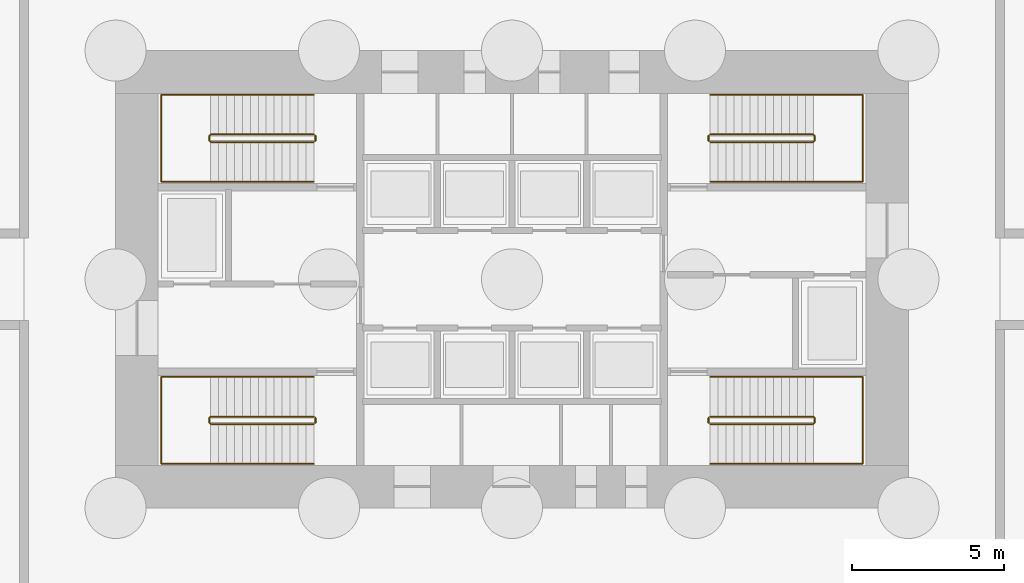
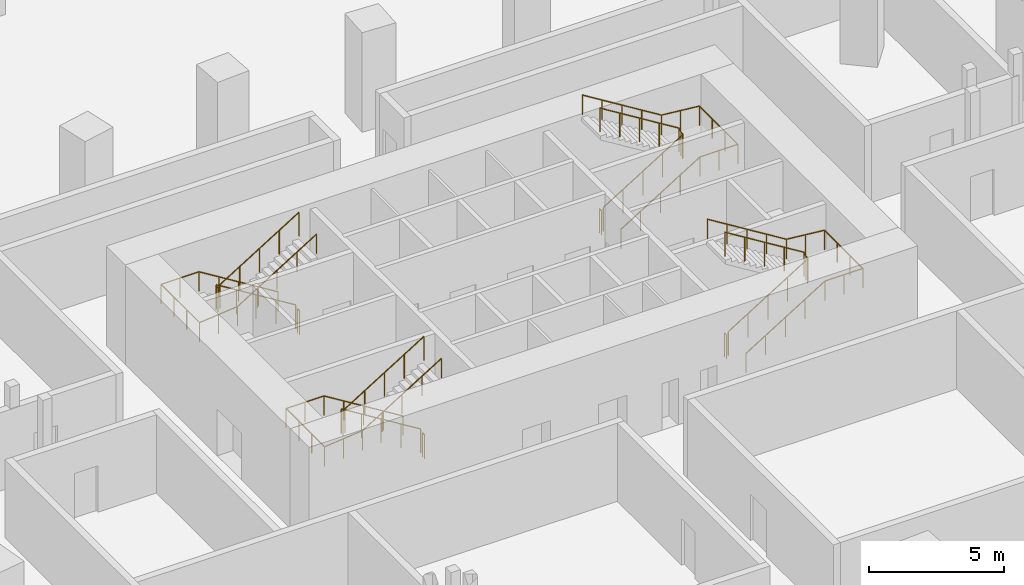
# One storey, part 9 of 10: 12 railings.
"""IFC4 building model written with IfcOpenShell, lengths in metres."""

from ifc_helpers import new_model, si_unit, direction, frame, origin, origin_2d, place, context, subcontext, project, spatial, circle, extrude, material, type_object, element, save


model = new_model("IFC4")

# Units and contexts
model_context = context("Model", 3, precision=1e-05, world=origin(), true_north=direction((0.0, 1.0)))
body_context = subcontext(model_context, "Body", "Model", "MODEL_VIEW")
ifc_project = project(units=[si_unit("LENGTHUNIT", "METRE"), si_unit("AREAUNIT", "SQUARE_METRE"), si_unit("VOLUMEUNIT", "CUBIC_METRE"), si_unit("PLANEANGLEUNIT", "RADIAN"), si_unit("MASSUNIT", "GRAM", prefix="KILO")], contexts=[model_context])

# Site, building, storey
site_placement = place(None, origin())
site = spatial("IfcSite", under=ifc_project, at=site_placement, CompositionType="ELEMENT")
building_placement = place(site_placement, origin())
building = spatial("IfcBuilding", under=site, at=building_placement, Name="Rubra Terraces Tower", CompositionType="ELEMENT")
storey_placement = place(building_placement, frame((0.0, 0.0, -15.0)))
storey = spatial("IfcBuildingStorey", under=building, at=storey_placement, Name="B3", CompositionType="ELEMENT", Elevation=-15.0)

# Railings
ifc_material = material(Name="Stainless steel", Category="steel")
railing_type_1 = type_object("IfcRailingType", Name="Core stair guard 1100", PredefinedType="GUARDRAIL", material=ifc_material)
railing_1_placement = place(storey_placement, frame((-6.5, 0.0, 0.16064453125)))
element("IfcRailing", 1, at=railing_1_placement, inside=storey, type_object=railing_type_1, Name="B3 stair S1 guard 1", PredefinedType="GUARDRAIL", context=body_context, shape_type="SweptSolid", body=[
    extrude(circle(Radius=0.02392578125, at=origin_2d()), frame((0.0, 0.0, 1.076171875), z_axis=(-0.8505975674, 0.0, 0.525817248036), x_axis=(0.0, -1.0, 0.0)), (0.0, 0.0, 1.0), 3.9736328125),
    extrude(circle(Radius=0.02392578125, at=origin_2d()), frame((-3.3798828125, 0.0, 3.16552734375), z_axis=(-0.707106781187, -0.707106781187, 0.0), x_axis=(0.707106781187, -0.707106781187, 0.0)), (0.0, 0.0, 1.0), 0.07080078125),
    extrude(circle(Radius=0.02392578125, at=origin_2d()), frame((-3.429931640625, -0.050048828125, 3.16552734375), z_axis=(0.0, -1.0, 0.0), x_axis=(1.0, 0.0, 0.0)), (0.0, 0.0, 1.0), 0.14990234375),
    extrude(circle(Radius=0.02392578125, at=origin_2d()), frame((-3.429931640625, -0.199951171875, 3.16552734375), z_axis=(0.285103605394, -0.285103605394, 0.91511303585), x_axis=(0.707106781187, 0.707106781187, 0.0)), (0.0, 0.0, 1.0), 0.175537109375),
    extrude(circle(Radius=0.02392578125, at=origin_2d()), frame((-3.3798828125, -0.25, 3.326171875), z_axis=(0.8505975674, 0.0, 0.525817248036), x_axis=(0.0, 1.0, 0.0)), (0.0, 0.0, 1.0), 3.9736328125),
    extrude(circle(Radius=0.02099609375, at=origin_2d()), origin(), (0.0, 0.0, 1.0), 1.052001953125),
    extrude(circle(Radius=0.02099609375, at=origin_2d()), frame((-0.844970703125, 0.0, 0.5224609375)), (0.0, 0.0, 1.0), 1.052001953125),
    extrude(circle(Radius=0.02099609375, at=origin_2d()), frame((-1.68994140625, 0.0, 1.044677734375)), (0.0, 0.0, 1.0), 1.052001953125),
    extrude(circle(Radius=0.02099609375, at=origin_2d()), frame((-2.534912109375, 0.0, 1.56689453125)), (0.0, 0.0, 1.0), 1.052001953125),
    extrude(circle(Radius=0.02099609375, at=origin_2d()), frame((-3.3798828125, 0.0, 2.08935546875)), (0.0, 0.0, 1.0), 1.052001953125),
    extrude(circle(Radius=0.02099609375, at=origin_2d()), frame((-3.429931640625, -0.050048828125, 2.08935546875)), (0.0, 0.0, 1.0), 1.052001953125),
    extrude(circle(Radius=0.02099609375, at=origin_2d()), frame((-3.429931640625, -0.199951171875, 2.08935546875)), (0.0, 0.0, 1.0), 1.052001953125),
    extrude(circle(Radius=0.02099609375, at=origin_2d()), frame((-3.3798828125, -0.25, 2.25)), (0.0, 0.0, 1.0), 1.052001953125),
    extrude(circle(Radius=0.02099609375, at=origin_2d()), frame((-2.534912109375, -0.25, 2.7724609375)), (0.0, 0.0, 1.0), 1.052001953125),
    extrude(circle(Radius=0.02099609375, at=origin_2d()), frame((-1.68994140625, -0.25, 3.294677734375)), (0.0, 0.0, 1.0), 1.052001953125),
    extrude(circle(Radius=0.02099609375, at=origin_2d()), frame((-0.844970703125, -0.25, 3.81689453125)), (0.0, 0.0, 1.0), 1.052001953125),
    extrude(circle(Radius=0.02099609375, at=origin_2d()), frame((0.0, -0.25, 4.33935546875)), (0.0, 0.0, 1.0), 1.052001953125),
])
railing_2_placement = place(storey_placement, frame((-6.449951171875, -0.050048828125, 0.0)))
element("IfcRailing", 2, at=railing_2_placement, inside=storey, type_object=railing_type_1, Name="B3 stair S1 guard 2", PredefinedType="GUARDRAIL", context=body_context, shape_type="SweptSolid", body=[
    extrude(circle(Radius=0.02392578125, at=origin_2d()), frame((0.0, 0.0, 1.076171875), z_axis=(0.0, -1.0, 0.0), x_axis=(1.0, 0.0, 0.0)), (0.0, 0.0, 1.0), 0.14990234375),
    extrude(circle(Radius=0.02099609375, at=origin_2d()), origin(), (0.0, 0.0, 1.0), 1.052001953125),
    extrude(circle(Radius=0.02099609375, at=origin_2d()), frame((0.0, -0.14990234375, 0.0)), (0.0, 0.0, 1.0), 1.052001953125),
])
railing_3_placement = place(storey_placement, frame((-6.5, 9.25, 0.16064453125)))
element("IfcRailing", 3, at=railing_3_placement, inside=storey, type_object=railing_type_1, Name="B3 stair S2 guard 1", PredefinedType="GUARDRAIL", context=body_context, shape_type="SweptSolid", body=[
    extrude(circle(Radius=0.02392578125, at=origin_2d()), frame((0.0, 0.0, 1.076171875), z_axis=(-0.8505975674, 0.0, 0.525817248036), x_axis=(0.0, -1.0, 0.0)), (0.0, 0.0, 1.0), 3.9736328125),
    extrude(circle(Radius=0.02392578125, at=origin_2d()), frame((-3.3798828125, 0.0, 3.16552734375), z_axis=(-0.707106781187, -0.707106781187, 0.0), x_axis=(0.707106781187, -0.707106781187, 0.0)), (0.0, 0.0, 1.0), 0.07080078125),
    extrude(circle(Radius=0.02392578125, at=origin_2d()), frame((-3.429931640625, -0.050048828125, 3.16552734375), z_axis=(0.0, -1.0, 0.0), x_axis=(1.0, 0.0, 0.0)), (0.0, 0.0, 1.0), 0.14990234375),
    extrude(circle(Radius=0.02392578125, at=origin_2d()), frame((-3.429931640625, -0.199951171875, 3.16552734375), z_axis=(0.285103605394, -0.285103605394, 0.91511303585), x_axis=(0.707106781187, 0.707106781187, 0.0)), (0.0, 0.0, 1.0), 0.175537109375),
    extrude(circle(Radius=0.02392578125, at=origin_2d()), frame((-3.3798828125, -0.25, 3.326171875), z_axis=(0.8505975674, 0.0, 0.525817248036), x_axis=(0.0, 1.0, 0.0)), (0.0, 0.0, 1.0), 3.9736328125),
    extrude(circle(Radius=0.02099609375, at=origin_2d()), origin(), (0.0, 0.0, 1.0), 1.052001953125),
    extrude(circle(Radius=0.02099609375, at=origin_2d()), frame((-0.844970703125, 0.0, 0.5224609375)), (0.0, 0.0, 1.0), 1.052001953125),
    extrude(circle(Radius=0.02099609375, at=origin_2d()), frame((-1.68994140625, 0.0, 1.044677734375)), (0.0, 0.0, 1.0), 1.052001953125),
    extrude(circle(Radius=0.02099609375, at=origin_2d()), frame((-2.534912109375, 0.0, 1.56689453125)), (0.0, 0.0, 1.0), 1.052001953125),
    extrude(circle(Radius=0.02099609375, at=origin_2d()), frame((-3.3798828125, 0.0, 2.08935546875)), (0.0, 0.0, 1.0), 1.052001953125),
    extrude(circle(Radius=0.02099609375, at=origin_2d()), frame((-3.429931640625, -0.050048828125, 2.08935546875)), (0.0, 0.0, 1.0), 1.052001953125),
    extrude(circle(Radius=0.02099609375, at=origin_2d()), frame((-3.429931640625, -0.199951171875, 2.08935546875)), (0.0, 0.0, 1.0), 1.052001953125),
    extrude(circle(Radius=0.02099609375, at=origin_2d()), frame((-3.3798828125, -0.25, 2.25)), (0.0, 0.0, 1.0), 1.052001953125),
    extrude(circle(Radius=0.02099609375, at=origin_2d()), frame((-2.534912109375, -0.25, 2.7724609375)), (0.0, 0.0, 1.0), 1.052001953125),
    extrude(circle(Radius=0.02099609375, at=origin_2d()), frame((-1.68994140625, -0.25, 3.294677734375)), (0.0, 0.0, 1.0), 1.052001953125),
    extrude(circle(Radius=0.02099609375, at=origin_2d()), frame((-0.844970703125, -0.25, 3.81689453125)), (0.0, 0.0, 1.0), 1.052001953125),
    extrude(circle(Radius=0.02099609375, at=origin_2d()), frame((0.0, -0.25, 4.33935546875)), (0.0, 0.0, 1.0), 1.052001953125),
])
railing_4_placement = place(storey_placement, frame((-6.449951171875, 9.199951171875, 0.0)))
element("IfcRailing", 4, at=railing_4_placement, inside=storey, type_object=railing_type_1, Name="B3 stair S2 guard 2", PredefinedType="GUARDRAIL", context=body_context, shape_type="SweptSolid", body=[
    extrude(circle(Radius=0.02392578125, at=origin_2d()), frame((0.0, 0.0, 1.076171875), z_axis=(0.0, -1.0, 0.0), x_axis=(1.0, 0.0, 0.0)), (0.0, 0.0, 1.0), 0.14990234375),
    extrude(circle(Radius=0.02099609375, at=origin_2d()), origin(), (0.0, 0.0, 1.0), 1.052001953125),
    extrude(circle(Radius=0.02099609375, at=origin_2d()), frame((0.0, -0.14990234375, 0.0)), (0.0, 0.0, 1.0), 1.052001953125),
])
railing_5_placement = place(storey_placement, frame((6.5, 9.0, 0.16064453125)))
element("IfcRailing", 5, at=railing_5_placement, inside=storey, type_object=railing_type_1, Name="B3 stair S3 guard 1", PredefinedType="GUARDRAIL", context=body_context, shape_type="SweptSolid", body=[
    extrude(circle(Radius=0.02392578125, at=origin_2d()), frame((0.0, 0.0, 1.076171875), z_axis=(0.8505975674, 0.0, 0.525817248036), x_axis=(0.0, 1.0, 0.0)), (0.0, 0.0, 1.0), 3.9736328125),
    extrude(circle(Radius=0.02392578125, at=origin_2d()), frame((3.3798828125, 0.0, 3.16552734375), z_axis=(0.707106781187, 0.707106781187, 0.0), x_axis=(-0.707106781187, 0.707106781187, 0.0)), (0.0, 0.0, 1.0), 0.07080078125),
    extrude(circle(Radius=0.02392578125, at=origin_2d()), frame((3.429931640625, 0.050048828125, 3.16552734375), z_axis=(0.0, 1.0, 0.0), x_axis=(-1.0, 0.0, 0.0)), (0.0, 0.0, 1.0), 0.14990234375),
    extrude(circle(Radius=0.02392578125, at=origin_2d()), frame((3.429931640625, 0.199951171875, 3.16552734375), z_axis=(-0.285103605394, 0.285103605394, 0.91511303585), x_axis=(-0.707106781187, -0.707106781187, 0.0)), (0.0, 0.0, 1.0), 0.175537109375),
    extrude(circle(Radius=0.02392578125, at=origin_2d()), frame((3.3798828125, 0.25, 3.326171875), z_axis=(-0.8505975674, 0.0, 0.525817248036), x_axis=(0.0, -1.0, 0.0)), (0.0, 0.0, 1.0), 3.9736328125),
    extrude(circle(Radius=0.02099609375, at=origin_2d()), origin(), (0.0, 0.0, 1.0), 1.052001953125),
    extrude(circle(Radius=0.02099609375, at=origin_2d()), frame((0.844970703125, 0.0, 0.5224609375)), (0.0, 0.0, 1.0), 1.052001953125),
    extrude(circle(Radius=0.02099609375, at=origin_2d()), frame((1.68994140625, 0.0, 1.044677734375)), (0.0, 0.0, 1.0), 1.052001953125),
    extrude(circle(Radius=0.02099609375, at=origin_2d()), frame((2.534912109375, 0.0, 1.56689453125)), (0.0, 0.0, 1.0), 1.052001953125),
    extrude(circle(Radius=0.02099609375, at=origin_2d()), frame((3.3798828125, 0.0, 2.08935546875)), (0.0, 0.0, 1.0), 1.052001953125),
    extrude(circle(Radius=0.02099609375, at=origin_2d()), frame((3.429931640625, 0.050048828125, 2.08935546875)), (0.0, 0.0, 1.0), 1.052001953125),
    extrude(circle(Radius=0.02099609375, at=origin_2d()), frame((3.429931640625, 0.199951171875, 2.08935546875)), (0.0, 0.0, 1.0), 1.052001953125),
    extrude(circle(Radius=0.02099609375, at=origin_2d()), frame((3.3798828125, 0.25, 2.25)), (0.0, 0.0, 1.0), 1.052001953125),
    extrude(circle(Radius=0.02099609375, at=origin_2d()), frame((2.534912109375, 0.25, 2.7724609375)), (0.0, 0.0, 1.0), 1.052001953125),
    extrude(circle(Radius=0.02099609375, at=origin_2d()), frame((1.68994140625, 0.25, 3.294677734375)), (0.0, 0.0, 1.0), 1.052001953125),
    extrude(circle(Radius=0.02099609375, at=origin_2d()), frame((0.844970703125, 0.25, 3.81689453125)), (0.0, 0.0, 1.0), 1.052001953125),
    extrude(circle(Radius=0.02099609375, at=origin_2d()), frame((0.0, 0.25, 4.33935546875)), (0.0, 0.0, 1.0), 1.052001953125),
])
railing_6_placement = place(storey_placement, frame((6.449951171875, 9.050048828125, 0.0)))
element("IfcRailing", 6, at=railing_6_placement, inside=storey, type_object=railing_type_1, Name="B3 stair S3 guard 2", PredefinedType="GUARDRAIL", context=body_context, shape_type="SweptSolid", body=[
    extrude(circle(Radius=0.02392578125, at=origin_2d()), frame((0.0, 0.0, 1.076171875), z_axis=(0.0, 1.0, 0.0), x_axis=(-1.0, 0.0, 0.0)), (0.0, 0.0, 1.0), 0.14990234375),
    extrude(circle(Radius=0.02099609375, at=origin_2d()), origin(), (0.0, 0.0, 1.0), 1.052001953125),
    extrude(circle(Radius=0.02099609375, at=origin_2d()), frame((0.0, 0.14990234375, 0.0)), (0.0, 0.0, 1.0), 1.052001953125),
])
railing_7_placement = place(storey_placement, frame((6.5, -0.25, 0.16064453125)))
element("IfcRailing", 7, at=railing_7_placement, inside=storey, type_object=railing_type_1, Name="B3 stair S4 guard 1", PredefinedType="GUARDRAIL", context=body_context, shape_type="SweptSolid", body=[
    extrude(circle(Radius=0.02392578125, at=origin_2d()), frame((0.0, 0.0, 1.076171875), z_axis=(0.8505975674, 0.0, 0.525817248036), x_axis=(0.0, 1.0, 0.0)), (0.0, 0.0, 1.0), 3.9736328125),
    extrude(circle(Radius=0.02392578125, at=origin_2d()), frame((3.3798828125, 0.0, 3.16552734375), z_axis=(0.707106781187, 0.707106781187, 0.0), x_axis=(-0.707106781187, 0.707106781187, 0.0)), (0.0, 0.0, 1.0), 0.07080078125),
    extrude(circle(Radius=0.02392578125, at=origin_2d()), frame((3.429931640625, 0.050048828125, 3.16552734375), z_axis=(0.0, 1.0, 0.0), x_axis=(-1.0, 0.0, 0.0)), (0.0, 0.0, 1.0), 0.14990234375),
    extrude(circle(Radius=0.02392578125, at=origin_2d()), frame((3.429931640625, 0.199951171875, 3.16552734375), z_axis=(-0.285103605394, 0.285103605394, 0.91511303585), x_axis=(-0.707106781187, -0.707106781187, 0.0)), (0.0, 0.0, 1.0), 0.175537109375),
    extrude(circle(Radius=0.02392578125, at=origin_2d()), frame((3.3798828125, 0.25, 3.326171875), z_axis=(-0.8505975674, 0.0, 0.525817248036), x_axis=(0.0, -1.0, 0.0)), (0.0, 0.0, 1.0), 3.9736328125),
    extrude(circle(Radius=0.02099609375, at=origin_2d()), origin(), (0.0, 0.0, 1.0), 1.052001953125),
    extrude(circle(Radius=0.02099609375, at=origin_2d()), frame((0.844970703125, 0.0, 0.5224609375)), (0.0, 0.0, 1.0), 1.052001953125),
    extrude(circle(Radius=0.02099609375, at=origin_2d()), frame((1.68994140625, 0.0, 1.044677734375)), (0.0, 0.0, 1.0), 1.052001953125),
    extrude(circle(Radius=0.02099609375, at=origin_2d()), frame((2.534912109375, 0.0, 1.56689453125)), (0.0, 0.0, 1.0), 1.052001953125),
    extrude(circle(Radius=0.02099609375, at=origin_2d()), frame((3.3798828125, 0.0, 2.08935546875)), (0.0, 0.0, 1.0), 1.052001953125),
    extrude(circle(Radius=0.02099609375, at=origin_2d()), frame((3.429931640625, 0.050048828125, 2.08935546875)), (0.0, 0.0, 1.0), 1.052001953125),
    extrude(circle(Radius=0.02099609375, at=origin_2d()), frame((3.429931640625, 0.199951171875, 2.08935546875)), (0.0, 0.0, 1.0), 1.052001953125),
    extrude(circle(Radius=0.02099609375, at=origin_2d()), frame((3.3798828125, 0.25, 2.25)), (0.0, 0.0, 1.0), 1.052001953125),
    extrude(circle(Radius=0.02099609375, at=origin_2d()), frame((2.534912109375, 0.25, 2.7724609375)), (0.0, 0.0, 1.0), 1.052001953125),
    extrude(circle(Radius=0.02099609375, at=origin_2d()), frame((1.68994140625, 0.25, 3.294677734375)), (0.0, 0.0, 1.0), 1.052001953125),
    extrude(circle(Radius=0.02099609375, at=origin_2d()), frame((0.844970703125, 0.25, 3.81689453125)), (0.0, 0.0, 1.0), 1.052001953125),
    extrude(circle(Radius=0.02099609375, at=origin_2d()), frame((0.0, 0.25, 4.33935546875)), (0.0, 0.0, 1.0), 1.052001953125),
])
railing_8_placement = place(storey_placement, frame((6.449951171875, -0.199951171875, 0.0)))
element("IfcRailing", 8, at=railing_8_placement, inside=storey, type_object=railing_type_1, Name="B3 stair S4 guard 2", PredefinedType="GUARDRAIL", context=body_context, shape_type="SweptSolid", body=[
    extrude(circle(Radius=0.02392578125, at=origin_2d()), frame((0.0, 0.0, 1.076171875), z_axis=(0.0, 1.0, 0.0), x_axis=(-1.0, 0.0, 0.0)), (0.0, 0.0, 1.0), 0.14990234375),
    extrude(circle(Radius=0.02099609375, at=origin_2d()), origin(), (0.0, 0.0, 1.0), 1.052001953125),
    extrude(circle(Radius=0.02099609375, at=origin_2d()), frame((0.0, 0.14990234375, 0.0)), (0.0, 0.0, 1.0), 1.052001953125),
])
railing_type_2 = type_object("IfcRailingType", Name="Core stair handrail 900", PredefinedType="HANDRAIL", material=ifc_material)
railing_9_placement = place(storey_placement, frame((-6.5, 1.300048828125, 0.16064453125)))
element("IfcRailing", 9, at=railing_9_placement, inside=storey, type_object=railing_type_2, Name="B3 stair S1 handrail 1", PredefinedType="HANDRAIL", context=body_context, shape_type="SweptSolid", body=[
    extrude(circle(Radius=0.02392578125, at=origin_2d()), frame((0.0, 0.0, 0.8759765625), z_axis=(-0.8505975674, 0.0, 0.525817248036), x_axis=(0.0, -1.0, 0.0)), (0.0, 0.0, 1.0), 3.9736328125),
    extrude(circle(Radius=0.02392578125, at=origin_2d()), frame((-3.3798828125, 0.0, 2.96533203125), z_axis=(-1.0, 0.0, 0.0), x_axis=(0.0, -1.0, 0.0)), (0.0, 0.0, 1.0), 1.6201171875),
    extrude(circle(Radius=0.02392578125, at=origin_2d()), frame((-5.0, 0.0, 2.96533203125), z_axis=(0.0, -1.0, 0.0), x_axis=(1.0, 0.0, 0.0)), (0.0, 0.0, 1.0), 2.85009765625),
    extrude(circle(Radius=0.02392578125, at=origin_2d()), frame((-5.0, -2.85009765625, 2.96533203125), z_axis=(0.995119987753, 0.0, 0.098672235073), x_axis=(0.0, 1.0, 0.0)), (0.0, 0.0, 1.0), 1.628173828125),
    extrude(circle(Radius=0.02392578125, at=origin_2d()), frame((-3.3798828125, -2.85009765625, 3.1259765625), z_axis=(0.8505975674, 0.0, 0.525817248036), x_axis=(0.0, 1.0, 0.0)), (0.0, 0.0, 1.0), 3.9736328125),
    extrude(circle(Radius=0.02099609375, at=origin_2d()), origin(), (0.0, 0.0, 1.0), 0.851806640625),
    extrude(circle(Radius=0.02099609375, at=origin_2d()), frame((-0.844970703125, 0.0, 0.5224609375)), (0.0, 0.0, 1.0), 0.851806640625),
    extrude(circle(Radius=0.02099609375, at=origin_2d()), frame((-1.68994140625, 0.0, 1.044677734375)), (0.0, 0.0, 1.0), 0.851806640625),
    extrude(circle(Radius=0.02099609375, at=origin_2d()), frame((-2.534912109375, 0.0, 1.56689453125)), (0.0, 0.0, 1.0), 0.851806640625),
    extrude(circle(Radius=0.02099609375, at=origin_2d()), frame((-3.3798828125, 0.0, 2.08935546875)), (0.0, 0.0, 1.0), 0.851806640625),
    extrude(circle(Radius=0.02099609375, at=origin_2d()), frame((-4.18994140625, 0.0, 2.08935546875)), (0.0, 0.0, 1.0), 0.851806640625),
    extrude(circle(Radius=0.02099609375, at=origin_2d()), frame((-5.0, 0.0, 2.08935546875)), (0.0, 0.0, 1.0), 0.851806640625),
    extrude(circle(Radius=0.02099609375, at=origin_2d()), frame((-5.0, -0.949951171875, 2.08935546875)), (0.0, 0.0, 1.0), 0.851806640625),
    extrude(circle(Radius=0.02099609375, at=origin_2d()), frame((-5.0, -1.900146484375, 2.08935546875)), (0.0, 0.0, 1.0), 0.851806640625),
    extrude(circle(Radius=0.02099609375, at=origin_2d()), frame((-5.0, -2.85009765625, 2.08935546875)), (0.0, 0.0, 1.0), 0.851806640625),
    extrude(circle(Radius=0.02099609375, at=origin_2d()), frame((-4.18994140625, -2.85009765625, 2.169677734375)), (0.0, 0.0, 1.0), 0.851806640625),
    extrude(circle(Radius=0.02099609375, at=origin_2d()), frame((-3.3798828125, -2.85009765625, 2.25)), (0.0, 0.0, 1.0), 0.851806640625),
    extrude(circle(Radius=0.02099609375, at=origin_2d()), frame((-2.534912109375, -2.85009765625, 2.7724609375)), (0.0, 0.0, 1.0), 0.851806640625),
    extrude(circle(Radius=0.02099609375, at=origin_2d()), frame((-1.68994140625, -2.85009765625, 3.294677734375)), (0.0, 0.0, 1.0), 0.851806640625),
    extrude(circle(Radius=0.02099609375, at=origin_2d()), frame((-0.844970703125, -2.85009765625, 3.81689453125)), (0.0, 0.0, 1.0), 0.851806640625),
    extrude(circle(Radius=0.02099609375, at=origin_2d()), frame((0.0, -2.85009765625, 4.33935546875)), (0.0, 0.0, 1.0), 0.851806640625),
])
railing_10_placement = place(storey_placement, frame((-6.5, 10.550048828125, 0.16064453125)))
element("IfcRailing", 10, at=railing_10_placement, inside=storey, type_object=railing_type_2, Name="B3 stair S2 handrail 1", PredefinedType="HANDRAIL", context=body_context, shape_type="SweptSolid", body=[
    extrude(circle(Radius=0.02392578125, at=origin_2d()), frame((0.0, 0.0, 0.8759765625), z_axis=(-0.8505975674, 0.0, 0.525817248036), x_axis=(0.0, -1.0, 0.0)), (0.0, 0.0, 1.0), 3.9736328125),
    extrude(circle(Radius=0.02392578125, at=origin_2d()), frame((-3.3798828125, 0.0, 2.96533203125), z_axis=(-1.0, 0.0, 0.0), x_axis=(0.0, -1.0, 0.0)), (0.0, 0.0, 1.0), 1.6201171875),
    extrude(circle(Radius=0.02392578125, at=origin_2d()), frame((-5.0, 0.0, 2.96533203125), z_axis=(0.0, -1.0, 0.0), x_axis=(1.0, 0.0, 0.0)), (0.0, 0.0, 1.0), 2.85009765625),
    extrude(circle(Radius=0.02392578125, at=origin_2d()), frame((-5.0, -2.85009765625, 2.96533203125), z_axis=(0.995119987753, 0.0, 0.098672235073), x_axis=(0.0, 1.0, 0.0)), (0.0, 0.0, 1.0), 1.628173828125),
    extrude(circle(Radius=0.02392578125, at=origin_2d()), frame((-3.3798828125, -2.85009765625, 3.1259765625), z_axis=(0.8505975674, 0.0, 0.525817248036), x_axis=(0.0, 1.0, 0.0)), (0.0, 0.0, 1.0), 3.9736328125),
    extrude(circle(Radius=0.02099609375, at=origin_2d()), origin(), (0.0, 0.0, 1.0), 0.851806640625),
    extrude(circle(Radius=0.02099609375, at=origin_2d()), frame((-0.844970703125, 0.0, 0.5224609375)), (0.0, 0.0, 1.0), 0.851806640625),
    extrude(circle(Radius=0.02099609375, at=origin_2d()), frame((-1.68994140625, 0.0, 1.044677734375)), (0.0, 0.0, 1.0), 0.851806640625),
    extrude(circle(Radius=0.02099609375, at=origin_2d()), frame((-2.534912109375, 0.0, 1.56689453125)), (0.0, 0.0, 1.0), 0.851806640625),
    extrude(circle(Radius=0.02099609375, at=origin_2d()), frame((-3.3798828125, 0.0, 2.08935546875)), (0.0, 0.0, 1.0), 0.851806640625),
    extrude(circle(Radius=0.02099609375, at=origin_2d()), frame((-4.18994140625, 0.0, 2.08935546875)), (0.0, 0.0, 1.0), 0.851806640625),
    extrude(circle(Radius=0.02099609375, at=origin_2d()), frame((-5.0, 0.0, 2.08935546875)), (0.0, 0.0, 1.0), 0.851806640625),
    extrude(circle(Radius=0.02099609375, at=origin_2d()), frame((-5.0, -0.949951171875, 2.08935546875)), (0.0, 0.0, 1.0), 0.851806640625),
    extrude(circle(Radius=0.02099609375, at=origin_2d()), frame((-5.0, -1.900146484375, 2.08935546875)), (0.0, 0.0, 1.0), 0.851806640625),
    extrude(circle(Radius=0.02099609375, at=origin_2d()), frame((-5.0, -2.85009765625, 2.08935546875)), (0.0, 0.0, 1.0), 0.851806640625),
    extrude(circle(Radius=0.02099609375, at=origin_2d()), frame((-4.18994140625, -2.85009765625, 2.169677734375)), (0.0, 0.0, 1.0), 0.851806640625),
    extrude(circle(Radius=0.02099609375, at=origin_2d()), frame((-3.3798828125, -2.85009765625, 2.25)), (0.0, 0.0, 1.0), 0.851806640625),
    extrude(circle(Radius=0.02099609375, at=origin_2d()), frame((-2.534912109375, -2.85009765625, 2.7724609375)), (0.0, 0.0, 1.0), 0.851806640625),
    extrude(circle(Radius=0.02099609375, at=origin_2d()), frame((-1.68994140625, -2.85009765625, 3.294677734375)), (0.0, 0.0, 1.0), 0.851806640625),
    extrude(circle(Radius=0.02099609375, at=origin_2d()), frame((-0.844970703125, -2.85009765625, 3.81689453125)), (0.0, 0.0, 1.0), 0.851806640625),
    extrude(circle(Radius=0.02099609375, at=origin_2d()), frame((0.0, -2.85009765625, 4.33935546875)), (0.0, 0.0, 1.0), 0.851806640625),
])
railing_11_placement = place(storey_placement, frame((6.5, 7.699951171875, 0.16064453125)))
element("IfcRailing", 11, at=railing_11_placement, inside=storey, type_object=railing_type_2, Name="B3 stair S3 handrail 1", PredefinedType="HANDRAIL", context=body_context, shape_type="SweptSolid", body=[
    extrude(circle(Radius=0.02392578125, at=origin_2d()), frame((0.0, 0.0, 0.8759765625), z_axis=(0.8505975674, 0.0, 0.525817248036), x_axis=(0.0, 1.0, 0.0)), (0.0, 0.0, 1.0), 3.9736328125),
    extrude(circle(Radius=0.02392578125, at=origin_2d()), frame((3.3798828125, 0.0, 2.96533203125), z_axis=(1.0, 0.0, 0.0), x_axis=(0.0, 1.0, 0.0)), (0.0, 0.0, 1.0), 1.6201171875),
    extrude(circle(Radius=0.02392578125, at=origin_2d()), frame((5.0, 0.0, 2.96533203125), z_axis=(0.0, 1.0, 0.0), x_axis=(-1.0, 0.0, 0.0)), (0.0, 0.0, 1.0), 2.85009765625),
    extrude(circle(Radius=0.02392578125, at=origin_2d()), frame((5.0, 2.85009765625, 2.96533203125), z_axis=(-0.995119987753, 0.0, 0.098672235073), x_axis=(0.0, -1.0, 0.0)), (0.0, 0.0, 1.0), 1.628173828125),
    extrude(circle(Radius=0.02392578125, at=origin_2d()), frame((3.3798828125, 2.85009765625, 3.1259765625), z_axis=(-0.8505975674, 0.0, 0.525817248036), x_axis=(0.0, -1.0, 0.0)), (0.0, 0.0, 1.0), 3.9736328125),
    extrude(circle(Radius=0.02099609375, at=origin_2d()), origin(), (0.0, 0.0, 1.0), 0.851806640625),
    extrude(circle(Radius=0.02099609375, at=origin_2d()), frame((0.844970703125, 0.0, 0.5224609375)), (0.0, 0.0, 1.0), 0.851806640625),
    extrude(circle(Radius=0.02099609375, at=origin_2d()), frame((1.68994140625, 0.0, 1.044677734375)), (0.0, 0.0, 1.0), 0.851806640625),
    extrude(circle(Radius=0.02099609375, at=origin_2d()), frame((2.534912109375, 0.0, 1.56689453125)), (0.0, 0.0, 1.0), 0.851806640625),
    extrude(circle(Radius=0.02099609375, at=origin_2d()), frame((3.3798828125, 0.0, 2.08935546875)), (0.0, 0.0, 1.0), 0.851806640625),
    extrude(circle(Radius=0.02099609375, at=origin_2d()), frame((4.18994140625, 0.0, 2.08935546875)), (0.0, 0.0, 1.0), 0.851806640625),
    extrude(circle(Radius=0.02099609375, at=origin_2d()), frame((5.0, 0.0, 2.08935546875)), (0.0, 0.0, 1.0), 0.851806640625),
    extrude(circle(Radius=0.02099609375, at=origin_2d()), frame((5.0, 0.949951171875, 2.08935546875)), (0.0, 0.0, 1.0), 0.851806640625),
    extrude(circle(Radius=0.02099609375, at=origin_2d()), frame((5.0, 1.900146484375, 2.08935546875)), (0.0, 0.0, 1.0), 0.851806640625),
    extrude(circle(Radius=0.02099609375, at=origin_2d()), frame((5.0, 2.85009765625, 2.08935546875)), (0.0, 0.0, 1.0), 0.851806640625),
    extrude(circle(Radius=0.02099609375, at=origin_2d()), frame((4.18994140625, 2.85009765625, 2.169677734375)), (0.0, 0.0, 1.0), 0.851806640625),
    extrude(circle(Radius=0.02099609375, at=origin_2d()), frame((3.3798828125, 2.85009765625, 2.25)), (0.0, 0.0, 1.0), 0.851806640625),
    extrude(circle(Radius=0.02099609375, at=origin_2d()), frame((2.534912109375, 2.85009765625, 2.7724609375)), (0.0, 0.0, 1.0), 0.851806640625),
    extrude(circle(Radius=0.02099609375, at=origin_2d()), frame((1.68994140625, 2.85009765625, 3.294677734375)), (0.0, 0.0, 1.0), 0.851806640625),
    extrude(circle(Radius=0.02099609375, at=origin_2d()), frame((0.844970703125, 2.85009765625, 3.81689453125)), (0.0, 0.0, 1.0), 0.851806640625),
    extrude(circle(Radius=0.02099609375, at=origin_2d()), frame((0.0, 2.85009765625, 4.33935546875)), (0.0, 0.0, 1.0), 0.851806640625),
])
railing_12_placement = place(storey_placement, frame((6.5, -1.550048828125, 0.16064453125)))
element("IfcRailing", 12, at=railing_12_placement, inside=storey, type_object=railing_type_2, Name="B3 stair S4 handrail 1", PredefinedType="HANDRAIL", context=body_context, shape_type="SweptSolid", body=[
    extrude(circle(Radius=0.02392578125, at=origin_2d()), frame((0.0, 0.0, 0.8759765625), z_axis=(0.8505975674, 0.0, 0.525817248036), x_axis=(0.0, 1.0, 0.0)), (0.0, 0.0, 1.0), 3.9736328125),
    extrude(circle(Radius=0.02392578125, at=origin_2d()), frame((3.3798828125, 0.0, 2.96533203125), z_axis=(1.0, 0.0, 0.0), x_axis=(0.0, 1.0, 0.0)), (0.0, 0.0, 1.0), 1.6201171875),
    extrude(circle(Radius=0.02392578125, at=origin_2d()), frame((5.0, 0.0, 2.96533203125), z_axis=(0.0, 1.0, 0.0), x_axis=(-1.0, 0.0, 0.0)), (0.0, 0.0, 1.0), 2.85009765625),
    extrude(circle(Radius=0.02392578125, at=origin_2d()), frame((5.0, 2.85009765625, 2.96533203125), z_axis=(-0.995119987753, 0.0, 0.098672235073), x_axis=(0.0, -1.0, 0.0)), (0.0, 0.0, 1.0), 1.628173828125),
    extrude(circle(Radius=0.02392578125, at=origin_2d()), frame((3.3798828125, 2.85009765625, 3.1259765625), z_axis=(-0.8505975674, 0.0, 0.525817248036), x_axis=(0.0, -1.0, 0.0)), (0.0, 0.0, 1.0), 3.9736328125),
    extrude(circle(Radius=0.02099609375, at=origin_2d()), origin(), (0.0, 0.0, 1.0), 0.851806640625),
    extrude(circle(Radius=0.02099609375, at=origin_2d()), frame((0.844970703125, 0.0, 0.5224609375)), (0.0, 0.0, 1.0), 0.851806640625),
    extrude(circle(Radius=0.02099609375, at=origin_2d()), frame((1.68994140625, 0.0, 1.044677734375)), (0.0, 0.0, 1.0), 0.851806640625),
    extrude(circle(Radius=0.02099609375, at=origin_2d()), frame((2.534912109375, 0.0, 1.56689453125)), (0.0, 0.0, 1.0), 0.851806640625),
    extrude(circle(Radius=0.02099609375, at=origin_2d()), frame((3.3798828125, 0.0, 2.08935546875)), (0.0, 0.0, 1.0), 0.851806640625),
    extrude(circle(Radius=0.02099609375, at=origin_2d()), frame((4.18994140625, 0.0, 2.08935546875)), (0.0, 0.0, 1.0), 0.851806640625),
    extrude(circle(Radius=0.02099609375, at=origin_2d()), frame((5.0, 0.0, 2.08935546875)), (0.0, 0.0, 1.0), 0.851806640625),
    extrude(circle(Radius=0.02099609375, at=origin_2d()), frame((5.0, 0.949951171875, 2.08935546875)), (0.0, 0.0, 1.0), 0.851806640625),
    extrude(circle(Radius=0.02099609375, at=origin_2d()), frame((5.0, 1.900146484375, 2.08935546875)), (0.0, 0.0, 1.0), 0.851806640625),
    extrude(circle(Radius=0.02099609375, at=origin_2d()), frame((5.0, 2.85009765625, 2.08935546875)), (0.0, 0.0, 1.0), 0.851806640625),
    extrude(circle(Radius=0.02099609375, at=origin_2d()), frame((4.18994140625, 2.85009765625, 2.169677734375)), (0.0, 0.0, 1.0), 0.851806640625),
    extrude(circle(Radius=0.02099609375, at=origin_2d()), frame((3.3798828125, 2.85009765625, 2.25)), (0.0, 0.0, 1.0), 0.851806640625),
    extrude(circle(Radius=0.02099609375, at=origin_2d()), frame((2.534912109375, 2.85009765625, 2.7724609375)), (0.0, 0.0, 1.0), 0.851806640625),
    extrude(circle(Radius=0.02099609375, at=origin_2d()), frame((1.68994140625, 2.85009765625, 3.294677734375)), (0.0, 0.0, 1.0), 0.851806640625),
    extrude(circle(Radius=0.02099609375, at=origin_2d()), frame((0.844970703125, 2.85009765625, 3.81689453125)), (0.0, 0.0, 1.0), 0.851806640625),
    extrude(circle(Radius=0.02099609375, at=origin_2d()), frame((0.0, 2.85009765625, 4.33935546875)), (0.0, 0.0, 1.0), 0.851806640625),
])

save(model, "model.ifc")
